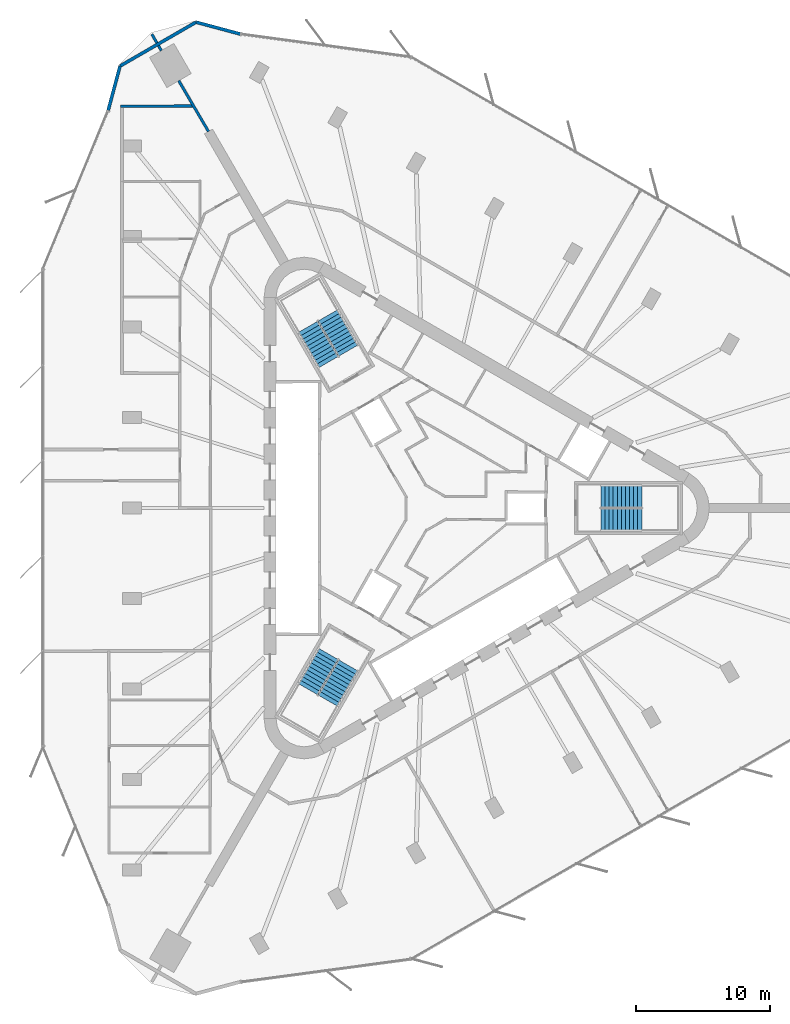
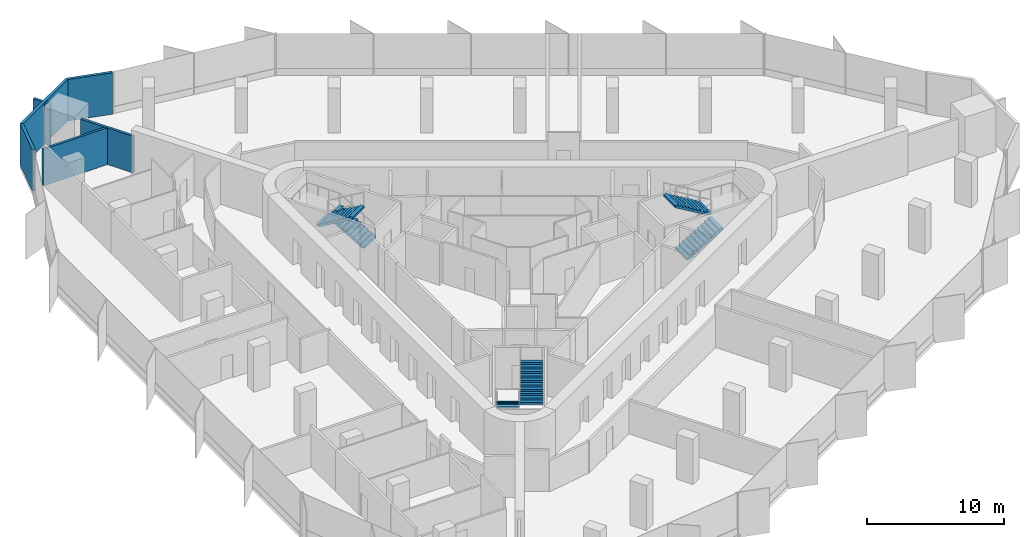
# One storey, part 13 of 14: 7 walls, 6 stair flights, 3 elements without a shape of their own.
"""IFC4 building model written with IfcOpenShell, lengths in metres."""

from ifc_helpers import new_model, si_unit, direction, frame, frame_2d, origin, place, context, subcontext, project, spatial, polyline, rectangle, outline, extrude, material, layer, layer_set, type_object, element, aggregate, save


model = new_model("IFC4")

# Units and contexts
model_context = context("Model", 3, precision=1e-05, world=origin(), true_north=direction((0.0, 1.0)))
body_context = subcontext(model_context, "Body", "Model", "MODEL_VIEW")
ifc_project = project(units=[si_unit("LENGTHUNIT", "METRE"), si_unit("AREAUNIT", "SQUARE_METRE"), si_unit("VOLUMEUNIT", "CUBIC_METRE"), si_unit("PLANEANGLEUNIT", "RADIAN"), si_unit("MASSUNIT", "GRAM", prefix="KILO")], contexts=[model_context])

# Site, building, storey
site_placement = place(None, origin())
site = spatial("IfcSite", under=ifc_project, at=site_placement, CompositionType="ELEMENT")
building_placement = place(site_placement, origin())
building = spatial("IfcBuilding", under=site, at=building_placement, Name="Tanit Gate Tower", CompositionType="ELEMENT")
storey_placement = place(building_placement, frame((0.0, 0.0, 237.199951171875)))
storey = spatial("IfcBuildingStorey", under=building, at=storey_placement, Name="L53", CompositionType="ELEMENT", Elevation=237.199951171875)

# Walls
ifc_material_1 = material(Name="Concrete C30/37 with bronze anodised aluminium cladding", Category="concrete")
ifc_layer_1 = layer(ifc_material_1, 0.239990234375)
ifc_layer_set_1 = layer_set([ifc_layer_1], Name="Facade wall bronze clad 240")
wall_type_1 = type_object("IfcWallType", Name="Facade wall bronze clad 240", PredefinedType="SOLIDWALL", material=ifc_layer_set_1)
wall_1_placement = place(storey_placement, frame((-13.86962890625, 35.449462890625, 0.0), z_axis=(0.0, 0.0, 1.0), x_axis=(-0.965919522093, 0.258842571536, 0.0)))
element("IfcWall", 1, at=wall_1_placement, inside=storey, type_object=wall_type_1, Name="Bronze-clad facade wall L53 NW.arc1", PredefinedType="SOLIDWALL", context=body_context, shape_type="SweptSolid", body=[
    extrude(rectangle(XDim=3.43798828125, YDim=0.239990234375, at=frame_2d((1.718994140625, 0.0))), origin(), (0.0, 0.0, 1.0), 3.699951171875),
])
wall_2_placement = place(storey_placement, frame((-17.1904296875, 36.33935546875, 0.0), z_axis=(0.0, 0.0, 1.0), x_axis=(-0.866012172048, -0.50002291734, 0.0)))
element("IfcWall", 2, at=wall_2_placement, inside=storey, type_object=wall_type_1, Name="Bronze-clad facade wall L53 NW.arc2", PredefinedType="SOLIDWALL", context=body_context, shape_type="SweptSolid", body=[
    extrude(rectangle(XDim=6.564697265625, YDim=0.239990234375, at=frame_2d((3.2822265625, 0.0))), origin(), (0.0, 0.0, 1.0), 3.699951171875),
])
wall_3_placement = place(storey_placement, frame((-22.87548828125, 33.056884765625, 0.0), z_axis=(0.0, 0.0, 1.0), x_axis=(-0.258842571536, -0.965919522093, 0.0)))
element("IfcWall", 3, at=wall_3_placement, inside=storey, type_object=wall_type_1, Name="Bronze-clad facade wall L53 NW.arc3", PredefinedType="SOLIDWALL", context=body_context, shape_type="SweptSolid", body=[
    extrude(rectangle(XDim=3.43798828125, YDim=0.239990234375, at=frame_2d((1.718994140625, 0.0))), origin(), (0.0, 0.0, 1.0), 3.699951171875),
])
ifc_material_2 = material(Name="Fire-rated gypsum board partition")
ifc_layer_2 = layer(ifc_material_2, 0.199951171875)
ifc_layer_set_2 = layer_set([ifc_layer_2], Name="INT-WALL-COMPARTMENT")
wall_type_2 = type_object("IfcWallType", Name="INT-WALL-COMPARTMENT", PredefinedType="PARTITIONING", material=ifc_layer_set_2)
wall_4_placement = place(storey_placement, frame((-20.49462890625, 35.437744140625, 0.0), z_axis=(0.0, 0.0, 1.0), x_axis=(0.500088105676, -0.865974529972, 0.0)))
element("IfcWall", 4, at=wall_4_placement, inside=storey, type_object=wall_type_2, Name="Wall Compartment W137", PredefinedType="PARTITIONING", context=body_context, shape_type="SweptSolid", body=[
    extrude(rectangle(XDim=0.751220703125, YDim=0.199951171875, at=frame_2d((0.37548828125, 0.0))), origin(), (0.0, 0.0, 1.0), 3.699951171875),
])
wall_5_placement = place(storey_placement, frame((-19.9990234375, 34.5791015625, 0.0), z_axis=(0.0, 0.0, 1.0), x_axis=(0.50001992892, -0.866013897511, 0.0)))
element("IfcWall", 5, at=wall_5_placement, inside=storey, type_object=wall_type_2, Name="Wall Compartment W137x1", PredefinedType="PARTITIONING", context=body_context, shape_type="SweptSolid", body=[
    extrude(rectangle(XDim=0.42626953125, YDim=0.199951171875, at=frame_2d((0.213134765625, 0.0))), origin(), (0.0, 0.0, 1.0), 3.699951171875),
])
wall_6_placement = place(storey_placement, frame((-18.48583984375, 31.958251953125, 0.0), z_axis=(0.0, 0.0, 1.0), x_axis=(0.505921624166, -0.86257945153, 0.0)))
element("IfcWall", 6, at=wall_6_placement, inside=storey, type_object=wall_type_2, Name="Wall Compartment W138", PredefinedType="PARTITIONING", context=body_context, shape_type="SweptSolid", body=[
    extrude(rectangle(XDim=4.4013671875, YDim=0.199951171875, at=frame_2d((2.20068359375, 0.0))), origin(), (0.0, 0.0, 1.0), 3.27001953125),
])
wall_7_placement = place(storey_placement, frame((-17.36083984375, 30.070068359375, 0.0), z_axis=(0.0, 0.0, 1.0), x_axis=(-0.999984432951, -0.005579772079, 0.0)))
element("IfcWall", 7, at=wall_7_placement, inside=storey, type_object=wall_type_2, Name="Wall Compartment W143", PredefinedType="PARTITIONING", context=body_context, shape_type="SweptSolid", body=[
    extrude(rectangle(XDim=5.46923828125, YDim=0.199951171875, at=frame_2d((2.734619140625, 0.0))), origin(), (0.0, 0.0, 1.0), 3.27001953125),
])

# Stair, stair flights
ifc_material_3 = material(Name="Concrete C40/50", Category="concrete")
stair_type = type_object("IfcStairType", Name="INT-STAIR-EXIT", PredefinedType="HALF_TURN_STAIR", material=ifc_material_3)
stair_1_placement = place(storey_placement, origin())
stair_1 = element("IfcStair", 8, at=stair_1_placement, inside=storey, type_object=stair_type, Name="L53 STAIR S1", PredefinedType="HALF_TURN_STAIR")
ifc_material_4 = material(Name="Concrete C40/50", Category="concrete")
stair_flight_type = type_object("IfcStairFlightType", Name="INT-STAIR-FLIGHT", PredefinedType="STRAIGHT", material=ifc_material_4)
stair_flight_1_placement = place(storey_placement, frame((13.094970703125, -0.8525390625, 0.0), z_axis=(0.0, 0.0, 1.0), x_axis=(1.0, 0.0, 0.0)))
stair_flight_1 = element("IfcStairFlight", 9, at=stair_flight_1_placement, type_object=stair_flight_type, Name="S1 flight 1", NumberOfRisers=11, NumberOfTreads=10, PredefinedType="STRAIGHT", RiserHeight=0.181818182, TreadLength=0.3051, context=body_context, shape_type="SweptSolid", body=[
    extrude(outline(polyline([(0.0, 0.0), (0.0, 0.181884765625), (0.30517578125, 0.181884765625), (0.30517578125, 0.363525390625), (0.610107421875, 0.363525390625), (0.610107421875, 0.54541015625), (0.915283203125, 0.54541015625), (0.915283203125, 0.727294921875), (1.220458984375, 0.727294921875), (1.220458984375, 0.9091796875), (1.525390625, 0.9091796875), (1.525390625, 1.0908203125), (1.83056640625, 1.0908203125), (1.83056640625, 1.272705078125), (2.1357421875, 1.272705078125), (2.1357421875, 1.45458984375), (2.44091796875, 1.45458984375), (2.44091796875, 1.636474609375), (2.745849609375, 1.636474609375), (2.745849609375, 1.818115234375), (3.051025390625, 1.818115234375), (3.051025390625, 2.0), (3.051025390625, 1.643798828125), (0.292724609375, 0.0), (0.0, 0.0)])), frame((0.0, 0.84765625, 0.0), z_axis=(0.0, -1.0, 0.0), x_axis=(1.0, 0.0, 0.0)), (0.0, 0.0, 1.0), 1.695068359375),
])
stair_flight_2_placement = place(storey_placement, frame((16.14599609375, 0.8525390625, 2.0), z_axis=(0.0, 0.0, 1.0), x_axis=(-1.0, 0.0, 0.0)))
stair_flight_2 = element("IfcStairFlight", 10, at=stair_flight_2_placement, type_object=stair_flight_type, Name="S1 flight 2", NumberOfRisers=11, NumberOfTreads=10, PredefinedType="STRAIGHT", RiserHeight=0.181818182, TreadLength=0.3051, context=body_context, shape_type="SweptSolid", body=[
    extrude(outline(polyline([(0.0, 0.0), (0.0, 0.181884765625), (0.30517578125, 0.181884765625), (0.30517578125, 0.363525390625), (0.610107421875, 0.363525390625), (0.610107421875, 0.54541015625), (0.915283203125, 0.54541015625), (0.915283203125, 0.727294921875), (1.220458984375, 0.727294921875), (1.220458984375, 0.9091796875), (1.525390625, 0.9091796875), (1.525390625, 1.0908203125), (1.83056640625, 1.0908203125), (1.83056640625, 1.272705078125), (2.1357421875, 1.272705078125), (2.1357421875, 1.45458984375), (2.44091796875, 1.45458984375), (2.44091796875, 1.636474609375), (2.745849609375, 1.636474609375), (2.745849609375, 1.818115234375), (3.051025390625, 1.818115234375), (3.051025390625, 2.0), (3.051025390625, 1.643798828125), (0.292724609375, 0.0), (0.0, 0.0)])), frame((0.0, 0.84765625, 0.0), z_axis=(0.0, -1.0, 0.0), x_axis=(1.0, 0.0, 0.0)), (0.0, 0.0, 1.0), 1.695068359375),
])
aggregate(stair_1, [stair_flight_1, stair_flight_2])

stair_2_placement = place(storey_placement, origin())
stair_2 = element("IfcStair", 11, at=stair_2_placement, inside=storey, type_object=stair_type, Name="L53 STAIR S2", PredefinedType="HALF_TURN_STAIR")
stair_flight_3_placement = place(storey_placement, frame((-5.808349609375, 11.766357421875, 0.0), z_axis=(0.0, 0.0, 1.0), x_axis=(-0.5, 0.866025403784, 0.0)))
stair_flight_3 = element("IfcStairFlight", 12, at=stair_flight_3_placement, type_object=stair_flight_type, Name="S2 flight 1", NumberOfRisers=11, NumberOfTreads=10, PredefinedType="STRAIGHT", RiserHeight=0.181818182, TreadLength=0.30492, context=body_context, shape_type="SweptSolid", body=[
    extrude(outline(polyline([(0.0, 0.0), (0.0, 0.181884765625), (0.304931640625, 0.181884765625), (0.304931640625, 0.363525390625), (0.60986328125, 0.363525390625), (0.60986328125, 0.54541015625), (0.914794921875, 0.54541015625), (0.914794921875, 0.727294921875), (1.2197265625, 0.727294921875), (1.2197265625, 0.9091796875), (1.524658203125, 0.9091796875), (1.524658203125, 1.0908203125), (1.82958984375, 1.0908203125), (1.82958984375, 1.272705078125), (2.134521484375, 1.272705078125), (2.134521484375, 1.45458984375), (2.439453125, 1.45458984375), (2.439453125, 1.636474609375), (2.744384765625, 1.636474609375), (2.744384765625, 1.818115234375), (3.04931640625, 1.818115234375), (3.04931640625, 2.0), (3.04931640625, 1.6435546875), (0.292724609375, 0.0), (0.0, 0.0)])), frame((0.0, 0.84716796875, 0.0), z_axis=(0.0, -1.0, 0.0), x_axis=(1.0, 0.0, 0.0)), (0.0, 0.0, 1.0), 1.694091796875),
])
stair_flight_4_placement = place(storey_placement, frame((-8.810302734375, 13.553955078125, 2.0), z_axis=(0.0, 0.0, 1.0), x_axis=(0.5, -0.866025403784, 0.0)))
stair_flight_4 = element("IfcStairFlight", 13, at=stair_flight_4_placement, type_object=stair_flight_type, Name="S2 flight 2", NumberOfRisers=11, NumberOfTreads=10, PredefinedType="STRAIGHT", RiserHeight=0.181818182, TreadLength=0.30492, context=body_context, shape_type="SweptSolid", body=[
    extrude(outline(polyline([(0.0, 0.0), (0.0, 0.181884765625), (0.304931640625, 0.181884765625), (0.304931640625, 0.363525390625), (0.60986328125, 0.363525390625), (0.60986328125, 0.54541015625), (0.914794921875, 0.54541015625), (0.914794921875, 0.727294921875), (1.2197265625, 0.727294921875), (1.2197265625, 0.9091796875), (1.524658203125, 0.9091796875), (1.524658203125, 1.0908203125), (1.82958984375, 1.0908203125), (1.82958984375, 1.272705078125), (2.134521484375, 1.272705078125), (2.134521484375, 1.45458984375), (2.439453125, 1.45458984375), (2.439453125, 1.636474609375), (2.744384765625, 1.636474609375), (2.744384765625, 1.818115234375), (3.04931640625, 1.818115234375), (3.04931640625, 2.0), (3.04931640625, 1.6435546875), (0.292724609375, 0.0), (0.0, 0.0)])), frame((0.0, 0.84716796875, 0.0), z_axis=(0.0, -1.0, 0.0), x_axis=(1.0, 0.0, 0.0)), (0.0, 0.0, 1.0), 1.694091796875),
])
aggregate(stair_2, [stair_flight_3, stair_flight_4])

stair_3_placement = place(storey_placement, origin())
stair_3 = element("IfcStair", 14, at=stair_3_placement, inside=storey, type_object=stair_type, Name="L53 STAIR S3", PredefinedType="HALF_TURN_STAIR")
stair_flight_5_placement = place(storey_placement, frame((-7.285888671875, -10.914306640625, 0.0), z_axis=(0.0, 0.0, 1.0), x_axis=(-0.5, -0.866025403784, 0.0)))
stair_flight_5 = element("IfcStairFlight", 15, at=stair_flight_5_placement, type_object=stair_flight_type, Name="S3 flight 1", NumberOfRisers=11, NumberOfTreads=10, PredefinedType="STRAIGHT", RiserHeight=0.181818182, TreadLength=0.3051, context=body_context, shape_type="SweptSolid", body=[
    extrude(outline(polyline([(0.0, 0.0), (0.0, 0.181884765625), (0.30517578125, 0.181884765625), (0.30517578125, 0.363525390625), (0.610107421875, 0.363525390625), (0.610107421875, 0.54541015625), (0.915283203125, 0.54541015625), (0.915283203125, 0.727294921875), (1.220458984375, 0.727294921875), (1.220458984375, 0.9091796875), (1.525390625, 0.9091796875), (1.525390625, 1.0908203125), (1.83056640625, 1.0908203125), (1.83056640625, 1.272705078125), (2.1357421875, 1.272705078125), (2.1357421875, 1.45458984375), (2.44091796875, 1.45458984375), (2.44091796875, 1.636474609375), (2.745849609375, 1.636474609375), (2.745849609375, 1.818115234375), (3.051025390625, 1.818115234375), (3.051025390625, 2.0), (3.051025390625, 1.643798828125), (0.292724609375, 0.0), (0.0, 0.0)])), frame((0.0, 0.84765625, 0.0), z_axis=(0.0, -1.0, 0.0), x_axis=(1.0, 0.0, 0.0)), (0.0, 0.0, 1.0), 1.695068359375),
])
stair_flight_6_placement = place(storey_placement, frame((-7.334716796875, -14.4091796875, 2.0), z_axis=(0.0, 0.0, 1.0), x_axis=(0.5, 0.866025403784, 0.0)))
stair_flight_6 = element("IfcStairFlight", 16, at=stair_flight_6_placement, type_object=stair_flight_type, Name="S3 flight 2", NumberOfRisers=11, NumberOfTreads=10, PredefinedType="STRAIGHT", RiserHeight=0.181818182, TreadLength=0.3051, context=body_context, shape_type="SweptSolid", body=[
    extrude(outline(polyline([(0.0, 0.0), (0.0, 0.181884765625), (0.30517578125, 0.181884765625), (0.30517578125, 0.363525390625), (0.610107421875, 0.363525390625), (0.610107421875, 0.54541015625), (0.915283203125, 0.54541015625), (0.915283203125, 0.727294921875), (1.220458984375, 0.727294921875), (1.220458984375, 0.9091796875), (1.525390625, 0.9091796875), (1.525390625, 1.0908203125), (1.83056640625, 1.0908203125), (1.83056640625, 1.272705078125), (2.1357421875, 1.272705078125), (2.1357421875, 1.45458984375), (2.44091796875, 1.45458984375), (2.44091796875, 1.636474609375), (2.745849609375, 1.636474609375), (2.745849609375, 1.818115234375), (3.051025390625, 1.818115234375), (3.051025390625, 2.0), (3.051025390625, 1.643798828125), (0.292724609375, 0.0), (0.0, 0.0)])), frame((0.0, 0.84765625, 0.0), z_axis=(0.0, -1.0, 0.0), x_axis=(1.0, 0.0, 0.0)), (0.0, 0.0, 1.0), 1.695068359375),
])
aggregate(stair_3, [stair_flight_5, stair_flight_6])

save(model, "model.ifc")
